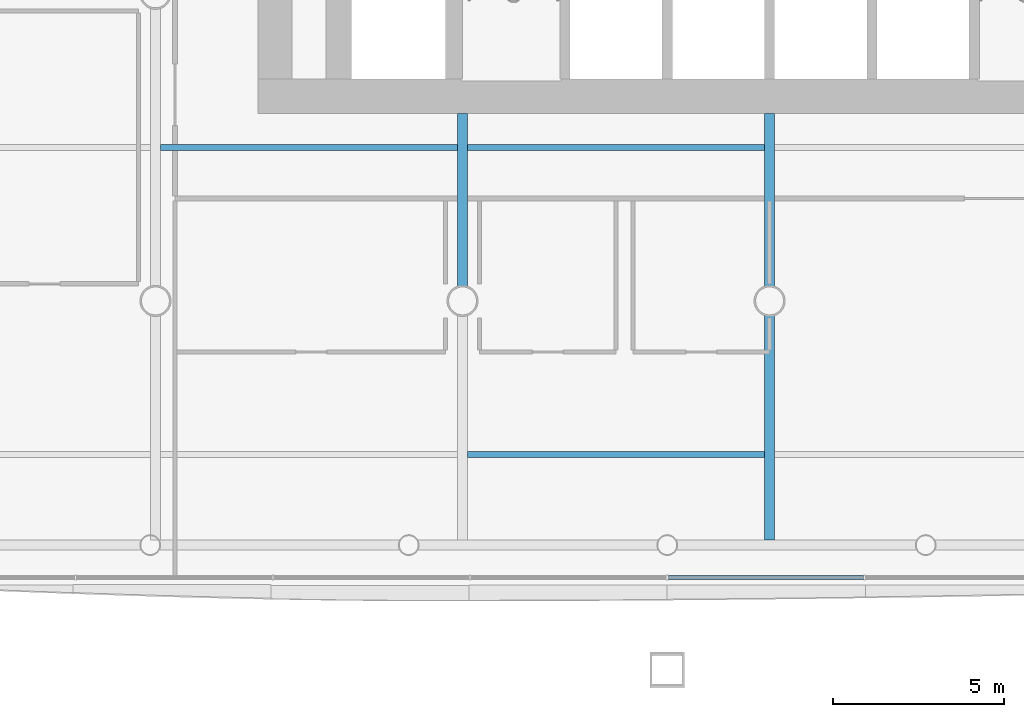
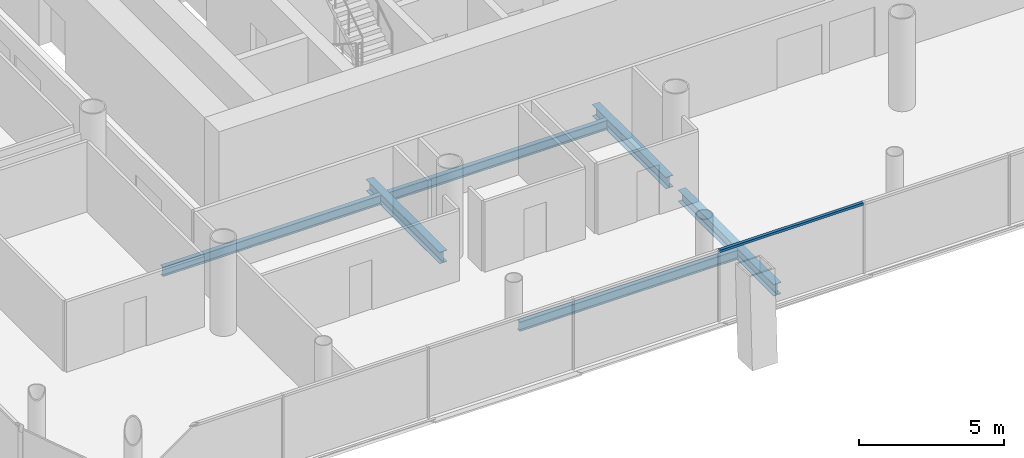
# One storey, part 3 of 20: 6 beams, 1 member, 1 element without a shape of its own.
"""IFC4 building model written with IfcOpenShell, lengths in metres."""

import ifcopenshell
import ifcopenshell.guid

model = None  # the IFC model being written
_history = None  # IfcOwnerHistory: only IFC2X3 demands one
_inside = {}  # id of a spatial element -> (the spatial element, [elements in it])
_under = {}  # id of a project, library or spatial element -> (it, [spatial elements below it])
_declared = {}  # id of a project -> (the project, [libraries it declares])
_typed = {}  # id of a type object -> (the type object, [elements of that type])
_made_of = {}  # id of a material, layer set ... -> (it, [elements and type objects made of it])


def new_model(schema):
    """Start an empty IFC model of exactly this schema.

    Asked for "IFC4X3", IfcOpenShell would pick the latest addendum, in which some entities
    have other attributes; the version numbers below select the first issue.
    IFC2X3 requires an IfcOwnerHistory on every rooted entity: one is made here for all.
    """
    global model, _history
    if schema == "IFC4X3":
        model = ifcopenshell.file(schema_version=(4, 3, 0, 0))
    else:
        model = ifcopenshell.file(schema=schema)
    _inside.clear()
    _under.clear()
    _declared.clear()
    _typed.clear()
    _made_of.clear()
    _history = None
    if model.schema == "IFC2X3":
        org = make("IfcOrganization", Name="unknown")
        user = make(
            "IfcPersonAndOrganization",
            ThePerson=make("IfcPerson", FamilyName="unknown"),
            TheOrganization=org,
        )
        app = make(
            "IfcApplication",
            ApplicationDeveloper=org,
            Version="unknown",
            ApplicationFullName="unknown",
            ApplicationIdentifier="unknown",
        )
        _history = make(
            "IfcOwnerHistory",
            OwningUser=user,
            OwningApplication=app,
            ChangeAction="ADDED",
            CreationDate=0,
        )
    return model


def make(cls, **values):
    """One entity of the class cls with the attributes given. An attribute that is None is left unset."""
    return model.create_entity(
        cls, **{name: value for name, value in values.items() if value is not None}
    )


def rooted(cls, **values):
    """An entity with a GlobalId (a new one), such as an element, a storey or a relation."""
    return make(cls, GlobalId=ifcopenshell.guid.new(), OwnerHistory=_history, **values)


def si_unit(unit_type, name, prefix=None):
    """IfcSIUnit, for example si_unit("LENGTHUNIT", "METRE", prefix="MILLI")."""
    return make("IfcSIUnit", UnitType=unit_type, Prefix=prefix, Name=name)


def assignment(units):
    """IfcUnitAssignment: the units of a project."""
    return None if units is None else make("IfcUnitAssignment", Units=units)


def point(xyz):
    """IfcCartesianPoint."""
    return None if xyz is None else make("IfcCartesianPoint", Coordinates=xyz)


def direction(xyz):
    """IfcDirection."""
    return None if xyz is None else make("IfcDirection", DirectionRatios=xyz)


def frame(location, z_axis=None, x_axis=None):
    """IfcAxis2Placement3D, a coordinate frame: its origin and axes. An axis left out is left unset."""
    return make(
        "IfcAxis2Placement3D",
        Location=point(location),
        Axis=direction(z_axis),
        RefDirection=direction(x_axis),
    )


def frame_2d(location, x_axis=None):
    """IfcAxis2Placement2D, a coordinate frame in the plane: its origin and x axis."""
    return make(
        "IfcAxis2Placement2D", Location=point(location), RefDirection=direction(x_axis)
    )


def origin():
    """The frame at (0, 0, 0) with its axes left unset."""
    return frame((0.0, 0.0, 0.0))


def origin_2d():
    """The frame at (0, 0) in the plane with its x axis left unset."""
    return frame_2d((0.0, 0.0))


def place(relative_to, where):
    """IfcLocalPlacement: puts the frame where relative to a parent placement (None: the world)."""
    return make(
        "IfcLocalPlacement", PlacementRelTo=relative_to, RelativePlacement=where
    )


def context(
    kind, dimensions, precision=None, world=None, true_north=None, identifier=None
):
    """IfcGeometricRepresentationContext, for example the 3D "Model" context."""
    return make(
        "IfcGeometricRepresentationContext",
        ContextIdentifier=identifier,
        ContextType=kind,
        CoordinateSpaceDimension=dimensions,
        Precision=precision,
        WorldCoordinateSystem=world,
        TrueNorth=true_north,
    )


def subcontext(parent, identifier, kind, view, scale=None):
    """IfcGeometricRepresentationSubContext, for example "Body" below "Model"."""
    return make(
        "IfcGeometricRepresentationSubContext",
        ContextIdentifier=identifier,
        ContextType=kind,
        ParentContext=parent,
        TargetScale=scale,
        TargetView=view,
    )


def project(units=None, contexts=None):
    """IfcProject with its units and contexts."""
    return rooted(
        "IfcProject",
        Name="project",
        RepresentationContexts=contexts,
        UnitsInContext=assignment(units),
    )


def spatial(cls, under=None, at=None, **own):
    """A site, building, storey or space (cls), placed at a placement, below another one or the project."""
    s = rooted(cls, ObjectPlacement=at, **own)
    if under is not None:
        _under.setdefault(under.id(), (under, []))[1].append(s)
    return s


def profile(cls, at=None, kind="AREA", **sizes):
    """A parametric profile (cls). Its sizes go by their IFC names, for example OverallWidth=200.0."""
    return make(cls, ProfileType=kind, Position=at, **sizes)


def rectangle(**sizes):
    """IfcRectangleProfileDef."""
    return profile("IfcRectangleProfileDef", **sizes)


def i_section(**sizes):
    """IfcIShapeProfileDef."""
    return profile("IfcIShapeProfileDef", **sizes)


def extrude(swept, where, along, depth):
    """IfcExtrudedAreaSolid: the profile swept, set in the frame where, extruded along a direction by depth."""
    return make(
        "IfcExtrudedAreaSolid",
        SweptArea=swept,
        Position=where,
        ExtrudedDirection=direction(along),
        Depth=depth,
    )


def shape(context_of_items, identifier, shape_type, items):
    """IfcShapeRepresentation: the items that make up one representation, for example the "Body"."""
    return make(
        "IfcShapeRepresentation",
        ContextOfItems=context_of_items,
        RepresentationIdentifier=identifier,
        RepresentationType=shape_type,
        Items=items,
    )


def material(Name=None, Category=None):
    """IfcMaterial."""
    return make("IfcMaterial", Name=Name, Category=Category)


def material_profile(
    of_material, cross_section, Name=None, Category=None, Priority=None
):
    """IfcMaterialProfile: a cross section and its material."""
    return make(
        "IfcMaterialProfile",
        Name=Name,
        Material=of_material,
        Profile=cross_section,
        Priority=Priority,
        Category=Category,
    )


def profile_set(profiles, Name=None, composite=None):
    """IfcMaterialProfileSet."""
    return make(
        "IfcMaterialProfileSet",
        Name=Name,
        MaterialProfiles=profiles,
        CompositeProfile=composite,
    )


def made_of(thing, what):
    """Note that an element or type object is made of a material, layer set ...; save() writes the relation."""
    if what is not None:
        _made_of.setdefault(what.id(), (what, []))[1].append(thing)
    return thing


def type_object(cls, material=None, **own):
    """A type object (cls), such as IfcWallType, which elements share."""
    return made_of(rooted(cls, **own), material)


def element(
    cls,
    number,
    at=None,
    inside=None,
    cuts=None,
    type_object=None,
    material=None,
    context=None,
    identifier="Body",
    shape_type=None,
    held_by="IfcProductDefinitionShape",
    body=None,
    shapes=None,
    **own,
):
    """One element of the class cls, such as IfcWall. Its Tag is "e" and its number.

    at: its placement. inside: the storey or other place that contains it. cuts: it is an
    opening in that element (IfcRelVoidsElement). A single representation is given by context,
    identifier, shape_type and body (its items); several are given by shapes. held_by: the class
    of the entity that holds the representations. save() writes the other relations.
    """
    e = rooted(cls, Tag="e%d" % number, ObjectPlacement=at, **own)
    if body is not None:
        shapes = [shape(context, identifier, shape_type, body)]
    if shapes is not None:
        e.Representation = make(held_by, Representations=shapes)
    if inside is not None:
        _inside.setdefault(inside.id(), (inside, []))[1].append(e)
    if cuts is not None:
        rooted(
            "IfcRelVoidsElement", RelatingBuildingElement=cuts, RelatedOpeningElement=e
        )
    if type_object is not None:
        _typed.setdefault(type_object.id(), (type_object, []))[1].append(e)
    return made_of(e, material)


def aggregate(whole, parts):
    """IfcRelAggregates: a whole, such as a stair, and the parts it consists of."""
    return rooted("IfcRelAggregates", RelatingObject=whole, RelatedObjects=parts)


def save(model, path):
    """Write the relations noted so far, then the file.

    IfcRelAggregates (storeys below a building ...), IfcRelContainedInSpatialStructure (elements
    in a storey), IfcRelDefinesByType, IfcRelAssociatesMaterial and IfcRelDeclares: one each for
    every whole, place, type object, material and project.
    """
    for whole, parts in _under.values():
        aggregate(whole, parts)
    for where, things in _inside.values():
        rooted(
            "IfcRelContainedInSpatialStructure",
            RelatedElements=things,
            RelatingStructure=where,
        )
    for kind, things in _typed.values():
        rooted("IfcRelDefinesByType", RelatedObjects=things, RelatingType=kind)
    for what, things in _made_of.values():
        rooted("IfcRelAssociatesMaterial", RelatedObjects=things, RelatingMaterial=what)
    for by, libraries in _declared.values():
        rooted("IfcRelDeclares", RelatingContext=by, RelatedDefinitions=libraries)
    model.write(path)


model = new_model("IFC4")

# Units and contexts
model_context = context("Model", 3, precision=1e-05, world=origin(), true_north=direction((0.0, 1.0)))
body_context = subcontext(model_context, "Body", "Model", "MODEL_VIEW")
ifc_project = project(units=[si_unit("LENGTHUNIT", "METRE"), si_unit("AREAUNIT", "SQUARE_METRE"), si_unit("VOLUMEUNIT", "CUBIC_METRE"), si_unit("PLANEANGLEUNIT", "RADIAN"), si_unit("MASSUNIT", "GRAM", prefix="KILO")], contexts=[model_context])

# Site, building, storey
site_placement = place(None, origin())
site = spatial("IfcSite", under=ifc_project, at=site_placement, CompositionType="ELEMENT")
building_placement = place(site_placement, origin())
building = spatial("IfcBuilding", under=site, at=building_placement, Name="Tskaro Facet Tower", CompositionType="ELEMENT")
storey_placement = place(building_placement, frame((0.0, 0.0, 53.699951171875)))
storey = spatial("IfcBuildingStorey", under=building, at=storey_placement, Name="L12", CompositionType="ELEMENT", Elevation=53.699951171875)

# Curtain wall, member
ifc_material_1 = material(Name="Bronze anodised aluminium 6063-T6", Category="aluminium")
curtain_wall_type = type_object("IfcCurtainWallType", Name="Bronze office curtain wall (FW1)", PredefinedType="NOTDEFINED", material=ifc_material_1)
curtain_wall_placement = place(storey_placement, origin())
curtain_wall = element("IfcCurtainWall", 1, at=curtain_wall_placement, inside=storey, type_object=curtain_wall_type, Name="FW1 south facet L12", PredefinedType="NOTDEFINED")
ifc_material_profile_1 = material_profile(ifc_material_1, rectangle(XDim=0.1201171875, YDim=0.10009765625, at=origin_2d()), Name="Transom 120x100")
ifc_profile_set_1 = profile_set([ifc_material_profile_1], Name="Bronze anodised aluminium 6063-T6")
member_type = type_object("IfcMemberType", Name="FW1 bronze transom 120x100", PredefinedType="USERDEFINED", material=ifc_profile_set_1)
member_placement = place(storey_placement, frame((-2.969970703125, -26.10693359375, 2.93994140625), z_axis=(1.0, 0.0, 0.0), x_axis=(0.0, 1.0, 0.0)))
member = element("IfcMember", 2, at=member_placement, type_object=member_type, Name="FW1 south transom 5.1", ObjectType="TRANSOM", PredefinedType="USERDEFINED", context=body_context, shape_type="SweptSolid", body=[
    extrude(rectangle(XDim=0.1201171875, YDim=0.10009765625, at=origin_2d()), origin(), (0.0, 0.0, 1.0), 5.720458984375),
])
aggregate(curtain_wall, [member])

# Beams
ifc_material_2 = material(Name="Steel S355J2", Category="steel")
ifc_material_profile_2 = material_profile(ifc_material_2, i_section(OverallWidth=0.300048828125, OverallDepth=0.489990234375, WebThickness=0.011962890625, FlangeThickness=0.02294921875, FilletRadius=0.027099609375, at=origin_2d()), Name="HE 500 A")
ifc_profile_set_2 = profile_set([ifc_material_profile_2], Name="Steel S355J2")
beam_type_1 = type_object("IfcBeamType", Name="HE 500 A girder", PredefinedType="BEAM", material=ifc_profile_set_2)
beam_1_placement = place(storey_placement, frame((-9.0, -17.57275390625, -0.385009765625), z_axis=(0.0, 1.0, 0.0), x_axis=(-1.0, 0.0, 0.0)))
element("IfcBeam", 3, at=beam_1_placement, inside=storey, type_object=beam_type_1, Name="HE 500 A GB3-2-1", PredefinedType="BEAM", context=body_context, shape_type="SweptSolid", body=[
    extrude(i_section(OverallWidth=0.300048828125, OverallDepth=0.489990234375, WebThickness=0.011962890625, FlangeThickness=0.02294921875, FilletRadius=0.027099609375, at=origin_2d()), origin(), (0.0, 0.0, 1.0), 5.07275390625),
])
beam_2_placement = place(storey_placement, frame((0.0, -25.007080078125, -0.385009765625), z_axis=(0.0, 1.0, 0.0), x_axis=(-1.0, 0.0, 0.0)))
element("IfcBeam", 4, at=beam_2_placement, inside=storey, type_object=beam_type_1, Name="HE 500 A GB4-1-1", PredefinedType="BEAM", context=body_context, shape_type="SweptSolid", body=[
    extrude(i_section(OverallWidth=0.300048828125, OverallDepth=0.489990234375, WebThickness=0.011962890625, FlangeThickness=0.02294921875, FilletRadius=0.027099609375, at=origin_2d()), origin(), (0.0, 0.0, 1.0), 6.579833984375),
])
beam_3_placement = place(storey_placement, frame((0.0, -17.57275390625, -0.385009765625), z_axis=(0.0, 1.0, 0.0), x_axis=(-1.0, 0.0, 0.0)))
element("IfcBeam", 5, at=beam_3_placement, inside=storey, type_object=beam_type_1, Name="HE 500 A GB4-2-1", PredefinedType="BEAM", context=body_context, shape_type="SweptSolid", body=[
    extrude(i_section(OverallWidth=0.300048828125, OverallDepth=0.489990234375, WebThickness=0.011962890625, FlangeThickness=0.02294921875, FilletRadius=0.027099609375, at=origin_2d()), origin(), (0.0, 0.0, 1.0), 5.07275390625),
])
ifc_material_profile_3 = material_profile(ifc_material_2, i_section(OverallWidth=0.179931640625, OverallDepth=0.39990234375, WebThickness=0.008544921875, FlangeThickness=0.013427734375, FilletRadius=0.02099609375, at=origin_2d()), Name="IPE 400")
ifc_profile_set_3 = profile_set([ifc_material_profile_3], Name="Steel S355J2")
beam_type_2 = type_object("IfcBeamType", Name="IPE 400 secondary beam", PredefinedType="BEAM", material=ifc_profile_set_3)
for number, where, z_axis, x_axis, name in (
    (6, (-8.85009765625, -22.5, -0.33984375), (1.0, 0.0, 0.0), (0.0, 1.0, 0.0), "IPE 400 SB1a-3-1"),
    (7, (-17.85009765625, -13.5, -0.33984375), (1.0, 0.0, 0.0), (0.0, 1.0, 0.0), "IPE 400 SB2a-2-1"),
    (8, (-8.85009765625, -13.5, -0.33984375), (1.0, 0.0, 0.0), (0.0, 1.0, 0.0), "IPE 400 SB2a-3-1"),
):
    element("IfcBeam", number, at=place(storey_placement, frame(where, z_axis=z_axis, x_axis=x_axis)), inside=storey, type_object=beam_type_2, Name=name, PredefinedType="BEAM", context=body_context, shape_type="SweptSolid", body=[
        extrude(i_section(OverallWidth=0.179931640625, OverallDepth=0.39990234375, WebThickness=0.008544921875, FlangeThickness=0.013427734375, FilletRadius=0.02099609375, at=origin_2d()), origin(), (0.0, 0.0, 1.0), 8.7001953125),
    ])

save(model, "model.ifc")
